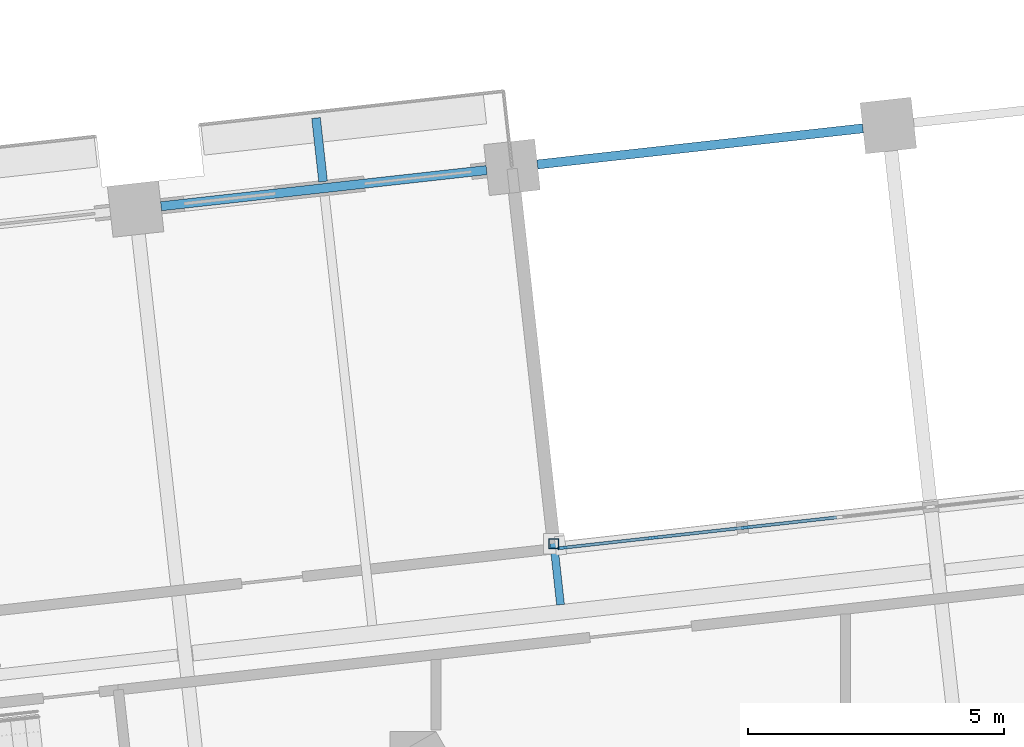
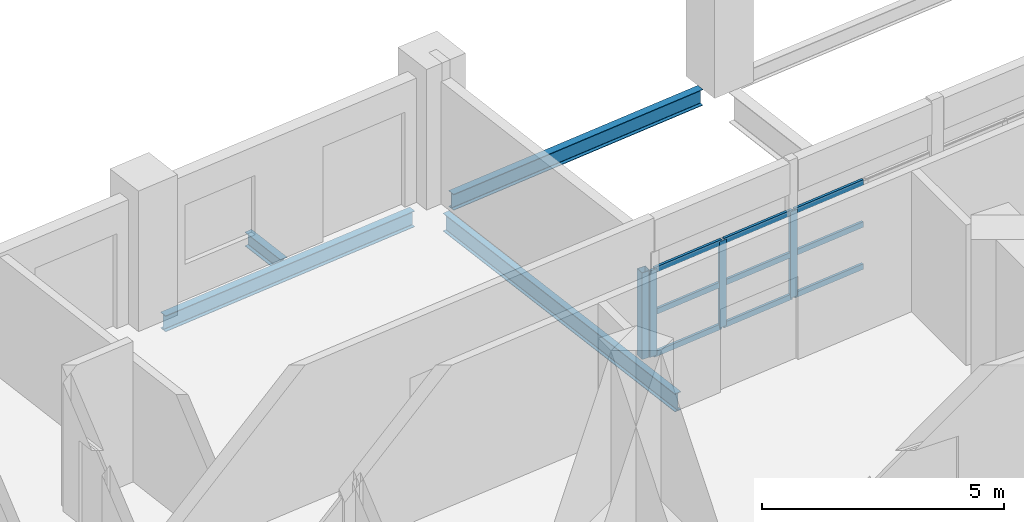
# One storey, part 3 of 20: 13 members, 4 beams, 1 element without a shape of its own.
"""IFC4 building model written with IfcOpenShell, lengths in metres."""

from ifc_helpers import new_model, si_unit, direction, frame, origin, origin_2d, place, context, subcontext, project, spatial, rectangle, hollow_rectangle, i_section, extrude, material, material_profile, profile_set, type_object, element, aggregate, save


model = new_model("IFC4")

# Units and contexts
model_context = context("Model", 3, precision=1e-05, world=origin(), true_north=direction((0.0, 1.0)))
body_context = subcontext(model_context, "Body", "Model", "MODEL_VIEW")
ifc_project = project(units=[si_unit("LENGTHUNIT", "METRE"), si_unit("AREAUNIT", "SQUARE_METRE"), si_unit("VOLUMEUNIT", "CUBIC_METRE"), si_unit("PLANEANGLEUNIT", "RADIAN"), si_unit("MASSUNIT", "GRAM", prefix="KILO")], contexts=[model_context])

# Site, building, storey
site_placement = place(None, origin())
site = spatial("IfcSite", under=ifc_project, at=site_placement, CompositionType="ELEMENT")
building_placement = place(site_placement, origin())
building = spatial("IfcBuilding", under=site, at=building_placement, Name="Cantera Rosa Tower", CompositionType="ELEMENT")
storey_placement = place(building_placement, frame((0.0, 0.0, 50.10009765625)))
storey = spatial("IfcBuildingStorey", under=building, at=storey_placement, Name="L09", CompositionType="ELEMENT", Elevation=50.10009765625)

# Curtain wall, members
ifc_material_1 = material(Name="Aluminium frame with clear glass", Category="aluminium")
curtain_wall_type = type_object("IfcCurtainWallType", Name="CW1 TERRACE POCKET GLAZING", PredefinedType="NOTDEFINED", material=ifc_material_1)
curtain_wall_placement = place(storey_placement, origin())
curtain_wall = element("IfcCurtainWall", 1, at=curtain_wall_placement, inside=storey, type_object=curtain_wall_type, Name="CW1 CW1", PredefinedType="NOTDEFINED")
ifc_material_2 = material(Name="Anodised bronze aluminium", Category="aluminium")
ifc_material_profile_1 = material_profile(ifc_material_2, rectangle(XDim=0.06005859375, YDim=0.179931640625, at=origin_2d()), Name="CW-MULLION 60x180 POCKET")
ifc_profile_set_1 = profile_set([ifc_material_profile_1], Name="Anodised bronze aluminium")
member_type_1 = type_object("IfcMemberType", Name="CW-MULLION 60x180 POCKET", PredefinedType="MULLION", material=ifc_profile_set_1)
member_1_placement = place(storey_placement, frame((2.0517578125, 15.62158203125, 0.0), z_axis=(0.0, 0.0, 1.0), x_axis=(0.110312555543, -0.993896946413, 0.0)))
member_1 = element("IfcMember", 2, at=member_1_placement, type_object=member_type_1, Name="CW1 mullion 7", PredefinedType="MULLION", context=body_context, shape_type="SweptSolid", body=[
    extrude(rectangle(XDim=0.06005859375, YDim=0.179931640625, at=origin_2d()), origin(), (0.0, 0.0, 1.0), 2.185791015625),
])
member_2_placement = place(storey_placement, frame((0.244140625, 15.421142578125, 0.0), z_axis=(0.0, 0.0, 1.0), x_axis=(0.110312555543, -0.993896946413, 0.0)))
member_2 = element("IfcMember", 3, at=member_2_placement, type_object=member_type_1, Name="CW1 mullion 8", PredefinedType="MULLION", context=body_context, shape_type="SweptSolid", body=[
    extrude(rectangle(XDim=0.06005859375, YDim=0.179931640625, at=origin_2d()), origin(), (0.0, 0.0, 1.0), 2.185791015625),
])
member_3_placement = place(storey_placement, frame((-1.53369140625, 15.2236328125, 0.0), z_axis=(0.0, 0.0, 1.0), x_axis=(0.110312555543, -0.993896946413, 0.0)))
member_3 = element("IfcMember", 4, at=member_3_placement, type_object=member_type_1, Name="CW1 mullion 9", PredefinedType="MULLION", context=body_context, shape_type="SweptSolid", body=[
    extrude(rectangle(XDim=0.06005859375, YDim=0.179931640625, at=origin_2d()), origin(), (0.0, 0.0, 1.0), 2.185791015625),
])
ifc_material_3 = material(Name="Anodised bronze aluminium", Category="aluminium")
ifc_material_profile_2 = material_profile(ifc_material_3, rectangle(XDim=0.06005859375, YDim=0.139892578125, at=origin_2d()), Name="CW-TRANSOM 60x140 POCKET")
ifc_profile_set_2 = profile_set([ifc_material_profile_2], Name="Anodised bronze aluminium")
member_type_2 = type_object("IfcMemberType", Name="CW-TRANSOM 60x140 POCKET", PredefinedType="USERDEFINED", material=ifc_profile_set_2)
member_4_placement = place(storey_placement, frame((3.82958984375, 15.819091796875, 0.02978515625), z_axis=(-0.993892195886, -0.110355348566, 0.0), x_axis=(0.110355348566, -0.993892195886, 0.0)))
member_4 = element("IfcMember", 5, at=member_4_placement, type_object=member_type_2, Name="CW1 transom 6.1", ObjectType="TRANSOM", PredefinedType="USERDEFINED", context=body_context, shape_type="SweptSolid", body=[
    extrude(rectangle(XDim=0.06005859375, YDim=0.139892578125, at=origin_2d()), origin(), (0.0, 0.0, 1.0), 1.7587890625),
])
member_5_placement = place(storey_placement, frame((3.82958984375, 15.819091796875, 1.093017578125), z_axis=(-0.993892195886, -0.110355348566, 0.0), x_axis=(0.110355348566, -0.993892195886, 0.0)))
member_5 = element("IfcMember", 6, at=member_5_placement, type_object=member_type_2, Name="CW1 transom 6.2", ObjectType="TRANSOM", PredefinedType="USERDEFINED", context=body_context, shape_type="SweptSolid", body=[
    extrude(rectangle(XDim=0.06005859375, YDim=0.139892578125, at=origin_2d()), origin(), (0.0, 0.0, 1.0), 1.7587890625),
])
member_6_placement = place(storey_placement, frame((3.82958984375, 15.819091796875, 2.156005859375), z_axis=(-0.993892195886, -0.110355348566, 0.0), x_axis=(0.110355348566, -0.993892195886, 0.0)))
member_6 = element("IfcMember", 7, at=member_6_placement, type_object=member_type_2, Name="CW1 transom 6.3", ObjectType="TRANSOM", PredefinedType="USERDEFINED", context=body_context, shape_type="SweptSolid", body=[
    extrude(rectangle(XDim=0.06005859375, YDim=0.139892578125, at=origin_2d()), origin(), (0.0, 0.0, 1.0), 1.7587890625),
])
member_7_placement = place(storey_placement, frame((2.02197265625, 15.618408203125, 0.02978515625), z_axis=(-0.993892195886, -0.110355348566, 0.0), x_axis=(0.110355348566, -0.993892195886, 0.0)))
member_7 = element("IfcMember", 8, at=member_7_placement, type_object=member_type_2, Name="CW1 transom 7.1", ObjectType="TRANSOM", PredefinedType="USERDEFINED", context=body_context, shape_type="SweptSolid", body=[
    extrude(rectangle(XDim=0.06005859375, YDim=0.139892578125, at=origin_2d()), origin(), (0.0, 0.0, 1.0), 1.7587890625),
])
member_8_placement = place(storey_placement, frame((2.02197265625, 15.618408203125, 1.093017578125), z_axis=(-0.993892195886, -0.110355348566, 0.0), x_axis=(0.110355348566, -0.993892195886, 0.0)))
member_8 = element("IfcMember", 9, at=member_8_placement, type_object=member_type_2, Name="CW1 transom 7.2", ObjectType="TRANSOM", PredefinedType="USERDEFINED", context=body_context, shape_type="SweptSolid", body=[
    extrude(rectangle(XDim=0.06005859375, YDim=0.139892578125, at=origin_2d()), origin(), (0.0, 0.0, 1.0), 1.7587890625),
])
member_9_placement = place(storey_placement, frame((2.02197265625, 15.618408203125, 2.156005859375), z_axis=(-0.993892195886, -0.110355348566, 0.0), x_axis=(0.110355348566, -0.993892195886, 0.0)))
member_9 = element("IfcMember", 10, at=member_9_placement, type_object=member_type_2, Name="CW1 transom 7.3", ObjectType="TRANSOM", PredefinedType="USERDEFINED", context=body_context, shape_type="SweptSolid", body=[
    extrude(rectangle(XDim=0.06005859375, YDim=0.139892578125, at=origin_2d()), origin(), (0.0, 0.0, 1.0), 1.7587890625),
])
member_10_placement = place(storey_placement, frame((0.21435546875, 15.417724609375, 0.02978515625), z_axis=(-0.993899224529, -0.110292028184, 0.0), x_axis=(0.110292028184, -0.993899224529, 0.0)))
member_10 = element("IfcMember", 11, at=member_10_placement, type_object=member_type_2, Name="CW1 transom 8.1", ObjectType="TRANSOM", PredefinedType="USERDEFINED", context=body_context, shape_type="SweptSolid", body=[
    extrude(rectangle(XDim=0.06005859375, YDim=0.139892578125, at=origin_2d()), origin(), (0.0, 0.0, 1.0), 1.728759765625),
])
member_11_placement = place(storey_placement, frame((0.21435546875, 15.417724609375, 1.093017578125), z_axis=(-0.993899224529, -0.110292028184, 0.0), x_axis=(0.110292028184, -0.993899224529, 0.0)))
member_11 = element("IfcMember", 12, at=member_11_placement, type_object=member_type_2, Name="CW1 transom 8.2", ObjectType="TRANSOM", PredefinedType="USERDEFINED", context=body_context, shape_type="SweptSolid", body=[
    extrude(rectangle(XDim=0.06005859375, YDim=0.139892578125, at=origin_2d()), origin(), (0.0, 0.0, 1.0), 1.728759765625),
])
member_12_placement = place(storey_placement, frame((0.21435546875, 15.417724609375, 2.156005859375), z_axis=(-0.993899224529, -0.110292028184, 0.0), x_axis=(0.110292028184, -0.993899224529, 0.0)))
member_12 = element("IfcMember", 13, at=member_12_placement, type_object=member_type_2, Name="CW1 transom 8.3", ObjectType="TRANSOM", PredefinedType="USERDEFINED", context=body_context, shape_type="SweptSolid", body=[
    extrude(rectangle(XDim=0.06005859375, YDim=0.139892578125, at=origin_2d()), origin(), (0.0, 0.0, 1.0), 1.728759765625),
])
aggregate(curtain_wall, [member_1, member_2, member_3, member_4, member_5, member_6, member_7, member_8, member_9, member_10, member_11, member_12])

# Member
ifc_material_4 = material(Name="Steel ASTM A992 (Fy 345 MPa)", Category="steel")
ifc_material_profile_3 = material_profile(ifc_material_4, hollow_rectangle(XDim=0.199951171875, YDim=0.199951171875, WallThickness=0.010009765625, at=origin_2d()), Name="LINTEL POST RHS 200x200x10")
ifc_profile_set_3 = profile_set([ifc_material_profile_3], Name="Steel ASTM A992 (Fy 345 MPa)")
member_type_3 = type_object("IfcMemberType", Name="LINTEL POST RHS 200x200x10", PredefinedType="USERDEFINED", material=ifc_profile_set_3)
member_13_placement = place(storey_placement, frame((-1.69873046875, 15.305908203125, 0.0), z_axis=(0.0, 0.0, 1.0), x_axis=(1.0, 0.0, 0.0)))
element("IfcMember", 14, at=member_13_placement, inside=storey, type_object=member_type_3, Name="LINTEL POST L09-2", ObjectType="LINTEL POST", PredefinedType="USERDEFINED", context=body_context, shape_type="SweptSolid", body=[
    extrude(hollow_rectangle(XDim=0.199951171875, YDim=0.199951171875, WallThickness=0.010009765625, at=origin_2d()), origin(), (0.0, 0.0, 1.0), 2.18798828125),
])

# Beams
ifc_material_5 = material(Name="Steel ASTM A992 (Fy 345 MPa)", Category="steel")
ifc_material_profile_4 = material_profile(ifc_material_5, i_section(OverallWidth=0.154052734375, OverallDepth=0.4599609375, WebThickness=0.009033203125, FlangeThickness=0.015380859375, FilletRadius=0.01025390625, at=origin_2d()), Name="W460X68")
ifc_profile_set_4 = profile_set([ifc_material_profile_4], Name="Steel ASTM A992 (Fy 345 MPa)")
beam_type_1 = type_object("IfcBeamType", Name="STEEL BEAM W460X68", PredefinedType="BEAM", material=ifc_profile_set_4)
beam_1_placement = place(storey_placement, frame((-2.4599609375, 22.163818359375, -0.47998046875), z_axis=(0.110315740112, -0.993896592953, 0.0), x_axis=(0.993896592953, 0.110315740112, 0.0)))
element("IfcBeam", 15, at=beam_1_placement, inside=storey, type_object=beam_type_1, Name="G-Z1-07 L09", PredefinedType="BEAM", context=body_context, shape_type="SweptSolid", body=[
    extrude(i_section(OverallWidth=0.154052734375, OverallDepth=0.4599609375, WebThickness=0.009033203125, FlangeThickness=0.015380859375, FilletRadius=0.01025390625, at=origin_2d()), origin(), (0.0, 0.0, 1.0), 8.099853515625),
])
ifc_material_6 = material(Name="Steel ASTM A992 (Fy 345 MPa)", Category="steel")
ifc_material_profile_5 = material_profile(ifc_material_6, i_section(OverallWidth=0.1708984375, OverallDepth=0.35595703125, WebThickness=0.00732421875, FlangeThickness=0.01171875, FilletRadius=0.010009765625, at=origin_2d()), Name="W360X51")
ifc_profile_set_5 = profile_set([ifc_material_profile_5], Name="Steel ASTM A992 (Fy 345 MPa)")
beam_type_2 = type_object("IfcBeamType", Name="STEEL JOIST W360X51", PredefinedType="JOIST", material=ifc_profile_set_5)
beam_2_placement = place(storey_placement, frame((-6.206787109375, 22.3818359375, -0.427978515625), z_axis=(-0.110345783203, 0.993893257915, 0.0), x_axis=(-0.993893257915, -0.110345783203, 0.0)))
element("IfcBeam", 16, at=beam_2_placement, inside=storey, type_object=beam_type_2, Name="BS-Z1-03 L09", PredefinedType="JOIST", context=body_context, shape_type="SweptSolid", body=[
    extrude(i_section(OverallWidth=0.1708984375, OverallDepth=0.35595703125, WebThickness=0.00732421875, FlangeThickness=0.01171875, FilletRadius=0.010009765625, at=origin_2d()), origin(), (0.0, 0.0, 1.0), 1.25),
])
ifc_material_7 = material(Name="Steel ASTM A992 (Fy 345 MPa)", Category="steel")
ifc_material_profile_6 = material_profile(ifc_material_7, i_section(OverallWidth=0.177978515625, OverallDepth=0.406005859375, WebThickness=0.0078125, FlangeThickness=0.0126953125, FilletRadius=0.01025390625, at=origin_2d()), Name="W410X60")
ifc_profile_set_6 = profile_set([ifc_material_profile_6], Name="Steel ASTM A992 (Fy 345 MPa)")
beam_type_3 = type_object("IfcBeamType", Name="STEEL SPANDREL BEAM W410X60", PredefinedType="SPANDREL", material=ifc_profile_set_6)
beam_3_placement = place(storey_placement, frame((4.3427734375, 23.422119140625, -0.453125), z_axis=(-0.993895824271, -0.110322665379, 0.0), x_axis=(0.110322665379, -0.993895824271, 0.0)))
element("IfcBeam", 17, at=beam_3_placement, inside=storey, type_object=beam_type_3, Name="EB-Z1-10 L09", PredefinedType="SPANDREL", context=body_context, shape_type="SweptSolid", body=[
    extrude(i_section(OverallWidth=0.177978515625, OverallDepth=0.406005859375, WebThickness=0.0078125, FlangeThickness=0.0126953125, FilletRadius=0.01025390625, at=origin_2d()), origin(), (0.0, 0.0, 1.0), 6.39990234375),
])
beam_4_placement = place(storey_placement, frame((-3.011962890625, 22.605712890625, -0.453125), z_axis=(-0.993896288542, -0.110318482689, 0.0), x_axis=(0.110318482689, -0.993896288542, 0.0)))
element("IfcBeam", 18, at=beam_4_placement, inside=storey, type_object=beam_type_3, Name="EB-Z1-11 L09", PredefinedType="SPANDREL", context=body_context, shape_type="SweptSolid", body=[
    extrude(i_section(OverallWidth=0.177978515625, OverallDepth=0.406005859375, WebThickness=0.0078125, FlangeThickness=0.0126953125, FilletRadius=0.01025390625, at=origin_2d()), origin(), (0.0, 0.0, 1.0), 6.400146484375),
])

save(model, "model.ifc")
